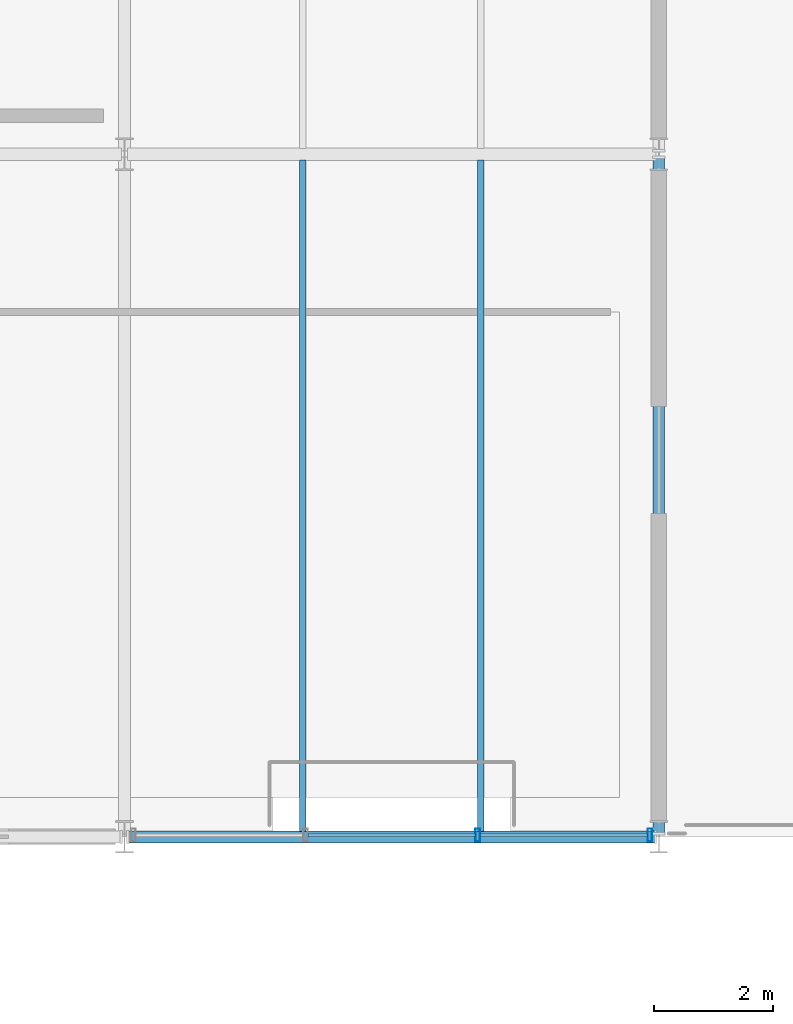
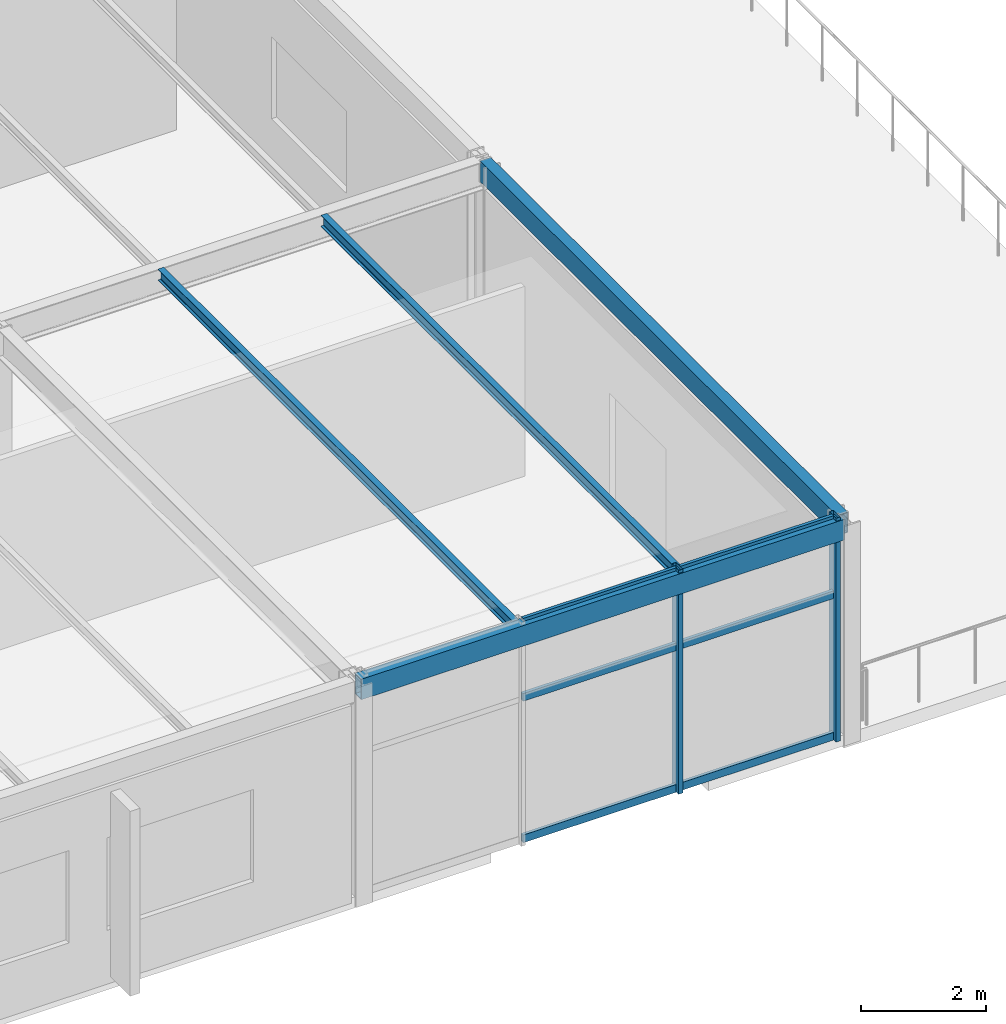
# One storey, part 12 of 44: 8 members, 4 beams, 1 element without a shape of its own.
"""IFC4 building model written with IfcOpenShell, lengths in metres."""

import ifcopenshell
import ifcopenshell.guid

model = None  # the IFC model being written
_history = None  # IfcOwnerHistory: only IFC2X3 demands one
_inside = {}  # id of a spatial element -> (the spatial element, [elements in it])
_under = {}  # id of a project, library or spatial element -> (it, [spatial elements below it])
_declared = {}  # id of a project -> (the project, [libraries it declares])
_typed = {}  # id of a type object -> (the type object, [elements of that type])
_made_of = {}  # id of a material, layer set ... -> (it, [elements and type objects made of it])


def new_model(schema):
    """Start an empty IFC model of exactly this schema.

    Asked for "IFC4X3", IfcOpenShell would pick the latest addendum, in which some entities
    have other attributes; the version numbers below select the first issue.
    IFC2X3 requires an IfcOwnerHistory on every rooted entity: one is made here for all.
    """
    global model, _history
    if schema == "IFC4X3":
        model = ifcopenshell.file(schema_version=(4, 3, 0, 0))
    else:
        model = ifcopenshell.file(schema=schema)
    _inside.clear()
    _under.clear()
    _declared.clear()
    _typed.clear()
    _made_of.clear()
    _history = None
    if model.schema == "IFC2X3":
        org = make("IfcOrganization", Name="unknown")
        user = make(
            "IfcPersonAndOrganization",
            ThePerson=make("IfcPerson", FamilyName="unknown"),
            TheOrganization=org,
        )
        app = make(
            "IfcApplication",
            ApplicationDeveloper=org,
            Version="unknown",
            ApplicationFullName="unknown",
            ApplicationIdentifier="unknown",
        )
        _history = make(
            "IfcOwnerHistory",
            OwningUser=user,
            OwningApplication=app,
            ChangeAction="ADDED",
            CreationDate=0,
        )
    return model


def make(cls, **values):
    """One entity of the class cls with the attributes given. An attribute that is None is left unset."""
    return model.create_entity(
        cls, **{name: value for name, value in values.items() if value is not None}
    )


def rooted(cls, **values):
    """An entity with a GlobalId (a new one), such as an element, a storey or a relation."""
    return make(cls, GlobalId=ifcopenshell.guid.new(), OwnerHistory=_history, **values)


def si_unit(unit_type, name, prefix=None):
    """IfcSIUnit, for example si_unit("LENGTHUNIT", "METRE", prefix="MILLI")."""
    return make("IfcSIUnit", UnitType=unit_type, Prefix=prefix, Name=name)


def assignment(units):
    """IfcUnitAssignment: the units of a project."""
    return None if units is None else make("IfcUnitAssignment", Units=units)


def point(xyz):
    """IfcCartesianPoint."""
    return None if xyz is None else make("IfcCartesianPoint", Coordinates=xyz)


def direction(xyz):
    """IfcDirection."""
    return None if xyz is None else make("IfcDirection", DirectionRatios=xyz)


def frame(location, z_axis=None, x_axis=None):
    """IfcAxis2Placement3D, a coordinate frame: its origin and axes. An axis left out is left unset."""
    return make(
        "IfcAxis2Placement3D",
        Location=point(location),
        Axis=direction(z_axis),
        RefDirection=direction(x_axis),
    )


def frame_2d(location, x_axis=None):
    """IfcAxis2Placement2D, a coordinate frame in the plane: its origin and x axis."""
    return make(
        "IfcAxis2Placement2D", Location=point(location), RefDirection=direction(x_axis)
    )


def origin():
    """The frame at (0, 0, 0) with its axes left unset."""
    return frame((0.0, 0.0, 0.0))


def origin_2d():
    """The frame at (0, 0) in the plane with its x axis left unset."""
    return frame_2d((0.0, 0.0))


def place(relative_to, where):
    """IfcLocalPlacement: puts the frame where relative to a parent placement (None: the world)."""
    return make(
        "IfcLocalPlacement", PlacementRelTo=relative_to, RelativePlacement=where
    )


def context(
    kind, dimensions, precision=None, world=None, true_north=None, identifier=None
):
    """IfcGeometricRepresentationContext, for example the 3D "Model" context."""
    return make(
        "IfcGeometricRepresentationContext",
        ContextIdentifier=identifier,
        ContextType=kind,
        CoordinateSpaceDimension=dimensions,
        Precision=precision,
        WorldCoordinateSystem=world,
        TrueNorth=true_north,
    )


def subcontext(parent, identifier, kind, view, scale=None):
    """IfcGeometricRepresentationSubContext, for example "Body" below "Model"."""
    return make(
        "IfcGeometricRepresentationSubContext",
        ContextIdentifier=identifier,
        ContextType=kind,
        ParentContext=parent,
        TargetScale=scale,
        TargetView=view,
    )


def project(units=None, contexts=None):
    """IfcProject with its units and contexts."""
    return rooted(
        "IfcProject",
        Name="project",
        RepresentationContexts=contexts,
        UnitsInContext=assignment(units),
    )


def spatial(cls, under=None, at=None, **own):
    """A site, building, storey or space (cls), placed at a placement, below another one or the project."""
    s = rooted(cls, ObjectPlacement=at, **own)
    if under is not None:
        _under.setdefault(under.id(), (under, []))[1].append(s)
    return s


def profile(cls, at=None, kind="AREA", **sizes):
    """A parametric profile (cls). Its sizes go by their IFC names, for example OverallWidth=200.0."""
    return make(cls, ProfileType=kind, Position=at, **sizes)


def hollow_rectangle(**sizes):
    """IfcRectangleHollowProfileDef."""
    return profile("IfcRectangleHollowProfileDef", **sizes)


def i_section(**sizes):
    """IfcIShapeProfileDef."""
    return profile("IfcIShapeProfileDef", **sizes)


def extrude(swept, where, along, depth):
    """IfcExtrudedAreaSolid: the profile swept, set in the frame where, extruded along a direction by depth."""
    return make(
        "IfcExtrudedAreaSolid",
        SweptArea=swept,
        Position=where,
        ExtrudedDirection=direction(along),
        Depth=depth,
    )


def shape(context_of_items, identifier, shape_type, items):
    """IfcShapeRepresentation: the items that make up one representation, for example the "Body"."""
    return make(
        "IfcShapeRepresentation",
        ContextOfItems=context_of_items,
        RepresentationIdentifier=identifier,
        RepresentationType=shape_type,
        Items=items,
    )


def material(Name=None, Category=None):
    """IfcMaterial."""
    return make("IfcMaterial", Name=Name, Category=Category)


def layer(
    of_material, thickness, ventilated=None, Name=None, Category=None, Priority=None
):
    """IfcMaterialLayer: one layer of a wall or slab, of a material (None: an air gap)."""
    return make(
        "IfcMaterialLayer",
        Material=of_material,
        LayerThickness=thickness,
        IsVentilated=ventilated,
        Name=Name,
        Category=Category,
        Priority=Priority,
    )


def layer_set(layers, Name=None):
    """IfcMaterialLayerSet."""
    return make("IfcMaterialLayerSet", MaterialLayers=layers, LayerSetName=Name)


def material_profile(
    of_material, cross_section, Name=None, Category=None, Priority=None
):
    """IfcMaterialProfile: a cross section and its material."""
    return make(
        "IfcMaterialProfile",
        Name=Name,
        Material=of_material,
        Profile=cross_section,
        Priority=Priority,
        Category=Category,
    )


def profile_set(profiles, Name=None, composite=None):
    """IfcMaterialProfileSet."""
    return make(
        "IfcMaterialProfileSet",
        Name=Name,
        MaterialProfiles=profiles,
        CompositeProfile=composite,
    )


def made_of(thing, what):
    """Note that an element or type object is made of a material, layer set ...; save() writes the relation."""
    if what is not None:
        _made_of.setdefault(what.id(), (what, []))[1].append(thing)
    return thing


def type_object(cls, material=None, **own):
    """A type object (cls), such as IfcWallType, which elements share."""
    return made_of(rooted(cls, **own), material)


def element(
    cls,
    number,
    at=None,
    inside=None,
    cuts=None,
    type_object=None,
    material=None,
    context=None,
    identifier="Body",
    shape_type=None,
    held_by="IfcProductDefinitionShape",
    body=None,
    shapes=None,
    **own,
):
    """One element of the class cls, such as IfcWall. Its Tag is "e" and its number.

    at: its placement. inside: the storey or other place that contains it. cuts: it is an
    opening in that element (IfcRelVoidsElement). A single representation is given by context,
    identifier, shape_type and body (its items); several are given by shapes. held_by: the class
    of the entity that holds the representations. save() writes the other relations.
    """
    e = rooted(cls, Tag="e%d" % number, ObjectPlacement=at, **own)
    if body is not None:
        shapes = [shape(context, identifier, shape_type, body)]
    if shapes is not None:
        e.Representation = make(held_by, Representations=shapes)
    if inside is not None:
        _inside.setdefault(inside.id(), (inside, []))[1].append(e)
    if cuts is not None:
        rooted(
            "IfcRelVoidsElement", RelatingBuildingElement=cuts, RelatedOpeningElement=e
        )
    if type_object is not None:
        _typed.setdefault(type_object.id(), (type_object, []))[1].append(e)
    return made_of(e, material)


def aggregate(whole, parts):
    """IfcRelAggregates: a whole, such as a stair, and the parts it consists of."""
    return rooted("IfcRelAggregates", RelatingObject=whole, RelatedObjects=parts)


def save(model, path):
    """Write the relations noted so far, then the file.

    IfcRelAggregates (storeys below a building ...), IfcRelContainedInSpatialStructure (elements
    in a storey), IfcRelDefinesByType, IfcRelAssociatesMaterial and IfcRelDeclares: one each for
    every whole, place, type object, material and project.
    """
    for whole, parts in _under.values():
        aggregate(whole, parts)
    for where, things in _inside.values():
        rooted(
            "IfcRelContainedInSpatialStructure",
            RelatedElements=things,
            RelatingStructure=where,
        )
    for kind, things in _typed.values():
        rooted("IfcRelDefinesByType", RelatedObjects=things, RelatingType=kind)
    for what, things in _made_of.values():
        rooted("IfcRelAssociatesMaterial", RelatedObjects=things, RelatingMaterial=what)
    for by, libraries in _declared.values():
        rooted("IfcRelDeclares", RelatingContext=by, RelatedDefinitions=libraries)
    model.write(path)


model = new_model("IFC4")

# Units and contexts
model_context = context("Model", 3, precision=1e-05, world=origin(), true_north=direction((0.0, 1.0)))
body_context = subcontext(model_context, "Body", "Model", "MODEL_VIEW")
ifc_project = project(units=[si_unit("LENGTHUNIT", "METRE"), si_unit("AREAUNIT", "SQUARE_METRE"), si_unit("VOLUMEUNIT", "CUBIC_METRE"), si_unit("PLANEANGLEUNIT", "RADIAN"), si_unit("MASSUNIT", "GRAM", prefix="KILO")], contexts=[model_context])

# Site, building, storey
site_placement = place(None, origin())
site = spatial("IfcSite", under=ifc_project, at=site_placement, CompositionType="ELEMENT")
building_placement = place(site_placement, origin())
building = spatial("IfcBuilding", under=site, at=building_placement, Name="Marlcrest Central Station", CompositionType="ELEMENT")
storey_placement = place(building_placement, frame((0.0, 0.0, 19.5)))
storey = spatial("IfcBuildingStorey", under=building, at=storey_placement, Name="L04", CompositionType="ELEMENT", Elevation=19.5)

# Beams
ifc_material_1 = material(Name="Steel S355", Category="steel")
ifc_material_profile_1 = material_profile(ifc_material_1, i_section(OverallWidth=0.110107421875, OverallDepth=0.219970703125, WebThickness=0.005859375, FlangeThickness=0.00927734375, FilletRadius=0.011962890625, at=origin_2d()), Name="IPE 220")
ifc_profile_set_1 = profile_set([ifc_material_profile_1], Name="Steel S355")
beam_type_1 = type_object("IfcBeamType", Name="JS-02", PredefinedType="JOIST", material=ifc_profile_set_1)
for number, where, z_axis, x_axis, name in (
    (1, (57.0, 99.094970703125, 4.1650390625), (0.0, 1.0, 0.0), (-1.0, 0.0, 0.0), "bm-JS-02-L04-00663"),
    (2, (60.0, 99.094970703125, 4.1650390625), (0.0, 1.0, 0.0), (-1.0, 0.0, 0.0), "bm-JS-02-L04-00666"),
):
    element("IfcBeam", number, at=place(storey_placement, frame(where, z_axis=z_axis, x_axis=x_axis)), inside=storey, type_object=beam_type_1, Name=name, PredefinedType="JOIST", context=body_context, shape_type="SweptSolid", body=[
        extrude(i_section(OverallWidth=0.110107421875, OverallDepth=0.219970703125, WebThickness=0.005859375, FlangeThickness=0.00927734375, FilletRadius=0.011962890625, at=origin_2d()), origin(), (0.0, 0.0, 1.0), 11.31005859375),
    ])

# Curtain wall, members
ifc_material_2 = material(Name="Anodised aluminium and hurricane laminated glass", Category="aluminium")
ifc_layer = layer(ifc_material_2, 0.219970703125, Name="CW-U1")
ifc_layer_set = layer_set([ifc_layer], Name="Anodised aluminium and hurricane laminated glass")
curtain_wall_type = type_object("IfcCurtainWallType", Name="CW-U1", PredefinedType="USERDEFINED", material=ifc_layer_set)
curtain_wall_placement = place(storey_placement, origin())
curtain_wall = element("IfcCurtainWall", 3, at=curtain_wall_placement, inside=storey, type_object=curtain_wall_type, Name="cw-L04-0170", ObjectType="UNITISED_CURTAIN_WALL", PredefinedType="USERDEFINED")
ifc_material_3 = material(Name="Anodised aluminium 6063-T6", Category="aluminium")
ifc_material_profile_2 = material_profile(ifc_material_3, hollow_rectangle(XDim=0.080078125, YDim=0.219970703125, WallThickness=0.006103515625, at=origin_2d()), Name="AA-RHS 220x80x6")
ifc_profile_set_2 = profile_set([ifc_material_profile_2], Name="Anodised aluminium 6063-T6")
member_type_1 = type_object("IfcMemberType", Name="ML-01", PredefinedType="MULLION", material=ifc_profile_set_2)
member_1_placement = place(storey_placement, frame((62.85009765625, 99.030029296875, -0.030029296875), z_axis=(0.0, 0.0, 1.0), x_axis=(1.0, 0.0, 0.0)))
member_1 = element("IfcMember", 4, at=member_1_placement, type_object=member_type_1, Name="cw-L04-0170-ml-0", PredefinedType="MULLION", context=body_context, shape_type="SweptSolid", body=[
    extrude(hollow_rectangle(XDim=0.080078125, YDim=0.219970703125, WallThickness=0.006103515625, at=origin_2d()), origin(), (0.0, 0.0, 1.0), 4.360107421875),
])
member_2_placement = place(storey_placement, frame((59.949951171875, 99.030029296875, -0.030029296875), z_axis=(0.0, 0.0, 1.0), x_axis=(1.0, 0.0, 0.0)))
member_2 = element("IfcMember", 5, at=member_2_placement, type_object=member_type_1, Name="cw-L04-0170-ml-1", PredefinedType="MULLION", context=body_context, shape_type="SweptSolid", body=[
    extrude(hollow_rectangle(XDim=0.080078125, YDim=0.219970703125, WallThickness=0.006103515625, at=origin_2d()), origin(), (0.0, 0.0, 1.0), 4.360107421875),
])

# Beams
ifc_material_profile_3 = material_profile(ifc_material_1, hollow_rectangle(XDim=0.199951171875, YDim=0.39990234375, WallThickness=0.01611328125, at=origin_2d()), Name="RHS 400x200x16")
ifc_profile_set_3 = profile_set([ifc_material_profile_3], Name="Steel S355")
beam_type_2 = type_object("IfcBeamType", Name="SP-01", PredefinedType="SPANDREL", material=ifc_profile_set_3)
beam_1_placement = place(storey_placement, frame((54.050048828125, 99.0, 4.074951171875), z_axis=(1.0, 0.0, 0.0), x_axis=(0.0, 1.0, 0.0)))
element("IfcBeam", 6, at=beam_1_placement, inside=storey, type_object=beam_type_2, Name="bm-SP-01-L04-00581", PredefinedType="SPANDREL", context=body_context, shape_type="SweptSolid", body=[
    extrude(hollow_rectangle(XDim=0.199951171875, YDim=0.39990234375, WallThickness=0.01611328125, at=origin_2d()), origin(), (0.0, 0.0, 1.0), 8.89990234375),
])
beam_2_placement = place(storey_placement, frame((63.0, 99.050048828125, 4.074951171875), z_axis=(0.0, 1.0, 0.0), x_axis=(-1.0, 0.0, 0.0)))
element("IfcBeam", 7, at=beam_2_placement, inside=storey, type_object=beam_type_2, Name="bm-SP-01-L04-00624", PredefinedType="SPANDREL", context=body_context, shape_type="SweptSolid", body=[
    extrude(hollow_rectangle(XDim=0.199951171875, YDim=0.39990234375, WallThickness=0.01611328125, at=origin_2d()), origin(), (0.0, 0.0, 1.0), 11.39990234375),
])

# Member
ifc_material_profile_4 = material_profile(ifc_material_3, hollow_rectangle(XDim=0.06005859375, YDim=0.14990234375, WallThickness=0.00390625, at=origin_2d()), Name="AA-RHS 150x60x4")
ifc_profile_set_4 = profile_set([ifc_material_profile_4], Name="Anodised aluminium 6063-T6")
member_type_2 = type_object("IfcMemberType", Name="TR-01", PredefinedType="USERDEFINED", material=ifc_profile_set_4)
member_3_placement = place(storey_placement, frame((62.81201171875, 99.030029296875, 0.0400390625), z_axis=(-1.0, 0.0, 0.0), x_axis=(0.0, -1.0, 0.0)))
member_3 = element("IfcMember", 8, at=member_3_placement, type_object=member_type_2, Name="cw-L04-0170-tr-0-sill", ObjectType="TRANSOM", PredefinedType="USERDEFINED", context=body_context, shape_type="SweptSolid", body=[
    extrude(hollow_rectangle(XDim=0.06005859375, YDim=0.14990234375, WallThickness=0.00390625, at=origin_2d()), origin(), (0.0, 0.0, 1.0), 2.823974609375),
])

member_4_placement = place(storey_placement, frame((62.81201171875, 99.030029296875, 2.794921875), z_axis=(-1.0, 0.0, 0.0), x_axis=(0.0, -1.0, 0.0)))
member_4 = element("IfcMember", 9, at=member_4_placement, type_object=member_type_2, Name="cw-L04-0170-tr-0-mid", ObjectType="TRANSOM", PredefinedType="USERDEFINED", context=body_context, shape_type="SweptSolid", body=[
    extrude(hollow_rectangle(XDim=0.06005859375, YDim=0.14990234375, WallThickness=0.00390625, at=origin_2d()), origin(), (0.0, 0.0, 1.0), 2.823974609375),
])

member_5_placement = place(storey_placement, frame((62.81201171875, 99.030029296875, 4.260009765625), z_axis=(-1.0, 0.0, 0.0), x_axis=(0.0, -1.0, 0.0)))
member_5 = element("IfcMember", 10, at=member_5_placement, type_object=member_type_2, Name="cw-L04-0170-tr-0-head", ObjectType="TRANSOM", PredefinedType="USERDEFINED", context=body_context, shape_type="SweptSolid", body=[
    extrude(hollow_rectangle(XDim=0.06005859375, YDim=0.14990234375, WallThickness=0.00390625, at=origin_2d()), origin(), (0.0, 0.0, 1.0), 2.823974609375),
])

member_6_placement = place(storey_placement, frame((59.912109375, 99.030029296875, 0.0400390625), z_axis=(-1.0, 0.0, 0.0), x_axis=(0.0, -1.0, 0.0)))
member_6 = element("IfcMember", 11, at=member_6_placement, type_object=member_type_2, Name="cw-L04-0170-tr-1-sill", ObjectType="TRANSOM", PredefinedType="USERDEFINED", context=body_context, shape_type="SweptSolid", body=[
    extrude(hollow_rectangle(XDim=0.06005859375, YDim=0.14990234375, WallThickness=0.00390625, at=origin_2d()), origin(), (0.0, 0.0, 1.0), 2.82421875),
])

member_7_placement = place(storey_placement, frame((59.912109375, 99.030029296875, 2.794921875), z_axis=(-1.0, 0.0, 0.0), x_axis=(0.0, -1.0, 0.0)))
member_7 = element("IfcMember", 12, at=member_7_placement, type_object=member_type_2, Name="cw-L04-0170-tr-1-mid", ObjectType="TRANSOM", PredefinedType="USERDEFINED", context=body_context, shape_type="SweptSolid", body=[
    extrude(hollow_rectangle(XDim=0.06005859375, YDim=0.14990234375, WallThickness=0.00390625, at=origin_2d()), origin(), (0.0, 0.0, 1.0), 2.82421875),
])

member_8_placement = place(storey_placement, frame((59.912109375, 99.030029296875, 4.260009765625), z_axis=(-1.0, 0.0, 0.0), x_axis=(0.0, -1.0, 0.0)))
member_8 = element("IfcMember", 13, at=member_8_placement, type_object=member_type_2, Name="cw-L04-0170-tr-1-head", ObjectType="TRANSOM", PredefinedType="USERDEFINED", context=body_context, shape_type="SweptSolid", body=[
    extrude(hollow_rectangle(XDim=0.06005859375, YDim=0.14990234375, WallThickness=0.00390625, at=origin_2d()), origin(), (0.0, 0.0, 1.0), 2.82421875),
])

aggregate(curtain_wall, [member_1, member_2, member_3, member_4, member_5, member_6, member_7, member_8])

save(model, "model.ifc")
